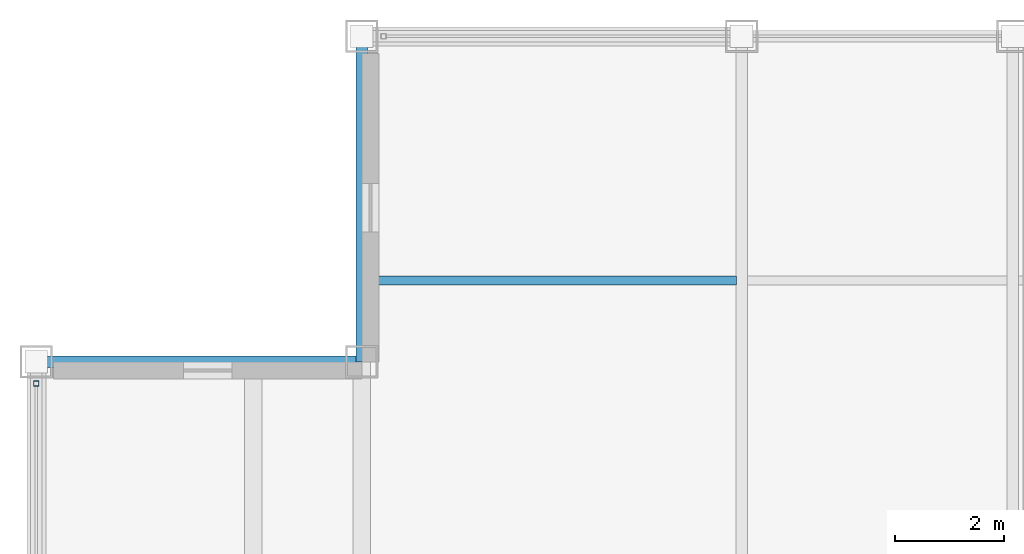
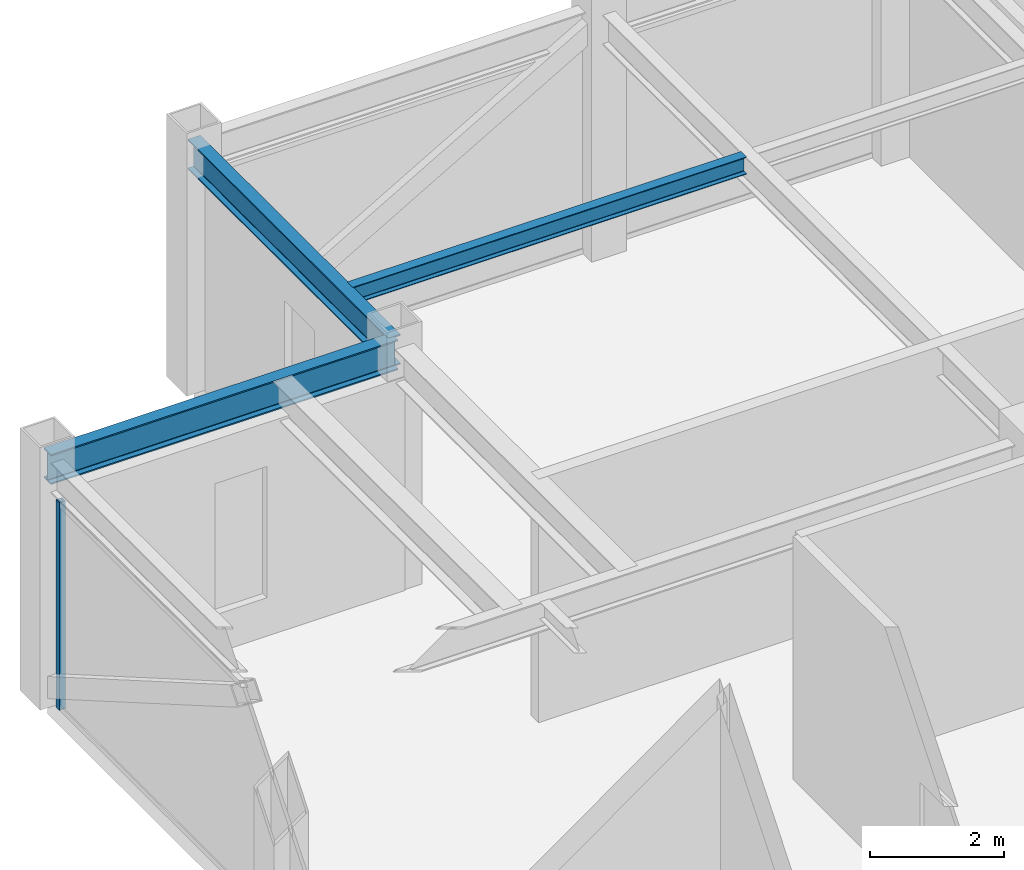
# One storey, part 14 of 27: 3 beams, 1 member, 1 element without a shape of its own.
"""IFC4 building model written with IfcOpenShell, lengths in metres."""

from ifc_helpers import new_model, si_unit, direction, frame, origin, origin_2d, place, context, subcontext, project, spatial, hollow_rectangle, i_section, extrude, source, transform, mapped, material, material_profile, profile_set, type_object, element, aggregate, save


model = new_model("IFC4")

# Units and contexts
model_context = context("Model", 3, precision=1e-05, world=origin(), true_north=direction((0.0, 1.0)))
body_context = subcontext(model_context, "Body", "Model", "MODEL_VIEW")
ifc_project = project(units=[si_unit("LENGTHUNIT", "METRE"), si_unit("AREAUNIT", "SQUARE_METRE"), si_unit("VOLUMEUNIT", "CUBIC_METRE"), si_unit("PLANEANGLEUNIT", "RADIAN"), si_unit("MASSUNIT", "GRAM", prefix="KILO")], contexts=[model_context])

# Site, building, storey
site_placement = place(None, origin())
site = spatial("IfcSite", under=ifc_project, at=site_placement, CompositionType="ELEMENT")
building_placement = place(site_placement, origin())
building = spatial("IfcBuilding", under=site, at=building_placement, Name="Khorayat Bourse Tower", CompositionType="ELEMENT")
storey_placement = place(building_placement, frame((0.0, 0.0, 385.10009765625)))
storey = spatial("IfcBuildingStorey", under=building, at=storey_placement, Name="L91", CompositionType="ELEMENT", Elevation=385.10009765625)

# Beams
ifc_material_1 = material(Name="Steel ASTM A992 Grade 50", Category="steel")
ifc_material_profile_1 = material_profile(ifc_material_1, i_section(OverallWidth=0.214111328125, OverallDepth=0.549072265625, WebThickness=0.0146484375, FlangeThickness=0.023681640625, FilletRadius=0.013916015625, at=origin_2d()), Name="W530X138")
ifc_profile_set_1 = profile_set([ifc_material_profile_1], Name="Steel ASTM A992 Grade 50")
beam_type_1 = type_object("IfcBeamType", Name="BM-SPAN-530", PredefinedType="SPANDREL", material=ifc_profile_set_1)
shared_shape_1 = source(origin(), body_context, "Body", "SweptSolid", [
    extrude(i_section(OverallWidth=0.214111328125, OverallDepth=0.549072265625, WebThickness=0.0146484375, FlangeThickness=0.023681640625, FilletRadius=0.013916015625, at=origin_2d()), origin(), (0.0, 0.0, 1.0), 6.0),
])
for number, where, z_axis, x_axis, name in (
    (1, (-18.0, 18.0, 4.17529296875), (0.0, 1.0, 0.0), (-1.0, 0.0, 0.0), "L91 BM-SPAN-530 BM-L91-SPN-046"),
    (2, (-24.0, 18.0, 4.17529296875), (1.0, 0.0, 0.0), (0.0, 1.0, 0.0), "L91 BM-SPAN-530 BM-L91-SPN-047"),
):
    element("IfcBeam", number, at=place(storey_placement, frame(where, z_axis=z_axis, x_axis=x_axis)), inside=storey, type_object=beam_type_1, Name=name, PredefinedType="SPANDREL", context=body_context, shape_type="MappedRepresentation", body=[
        mapped(shared_shape_1, transform((0.0, 0.0, 0.0), scale=1.0)),
    ])
ifc_material_profile_2 = material_profile(ifc_material_1, i_section(OverallWidth=0.1669921875, OverallDepth=0.31689453125, WebThickness=0.007568359375, FlangeThickness=0.01318359375, FilletRadius=0.010009765625, at=origin_2d()), Name="W310X52")
ifc_profile_set_2 = profile_set([ifc_material_profile_2], Name="Steel ASTM A992 Grade 50")
beam_type_2 = type_object("IfcBeamType", Name="BM-JOIST-310", PredefinedType="JOIST", material=ifc_profile_set_2)
shared_shape_2 = source(origin(), body_context, "Body", "SweptSolid", [
    extrude(i_section(OverallWidth=0.1669921875, OverallDepth=0.31689453125, WebThickness=0.007568359375, FlangeThickness=0.01318359375, FilletRadius=0.010009765625, at=origin_2d()), origin(), (0.0, 0.0, 1.0), 6.81005859375),
])
beam_placement = place(storey_placement, frame((-17.905029296875, 19.5, 4.29150390625), z_axis=(1.0, 0.0, 0.0), x_axis=(0.0, 1.0, 0.0)))
element("IfcBeam", 3, at=beam_placement, inside=storey, type_object=beam_type_2, Name="L91 BM-JOIST-310 BM-L91-JSTX-087", PredefinedType="JOIST", context=body_context, shape_type="MappedRepresentation", body=[
    mapped(shared_shape_2, transform((0.0, 0.0, 0.0), scale=1.0)),
])

# Curtain wall, member
ifc_material_2 = material(Name="Aluminium EN AW-6063 T6", Category="aluminium")
curtain_wall_type = type_object("IfcCurtainWallType", Name="CW-SYS-07", PredefinedType="NOTDEFINED", material=ifc_material_2)
curtain_wall_placement = place(storey_placement, origin())
curtain_wall = element("IfcCurtainWall", 4, at=curtain_wall_placement, inside=storey, type_object=curtain_wall_type, Name="L91 Curtain Wall CW-L91-W1", PredefinedType="NOTDEFINED")
ifc_material_profile_3 = material_profile(ifc_material_2, hollow_rectangle(XDim=0.10009765625, YDim=0.10009765625, WallThickness=0.0048828125, at=origin_2d()), Name="ALU 100x100x5")
ifc_profile_set_3 = profile_set([ifc_material_profile_3], Name="Aluminium EN AW-6063 T6")
member_type = type_object("IfcMemberType", Name="CWM-LANTERN-100", PredefinedType="MULLION", material=ifc_profile_set_3)
shared_shape_3 = source(origin(), body_context, "Body", "SweptSolid", [
    extrude(hollow_rectangle(XDim=0.10009765625, YDim=0.10009765625, WallThickness=0.0048828125, at=origin_2d()), origin(), (0.0, 0.0, 1.0), 3.7998046875),
])
member_placement = place(storey_placement, frame((-24.0, 17.60009765625, 0.0), z_axis=(0.0, 0.0, 1.0), x_axis=(-1.0, 0.0, 0.0)))
member = element("IfcMember", 5, at=member_placement, type_object=member_type, Name="CW-L91-W1 Vertical Mullion 3", PredefinedType="MULLION", context=body_context, shape_type="MappedRepresentation", body=[
    mapped(shared_shape_3, transform((0.0, 0.0, 0.0), scale=1.0)),
])
aggregate(curtain_wall, [member])

save(model, "model.ifc")
